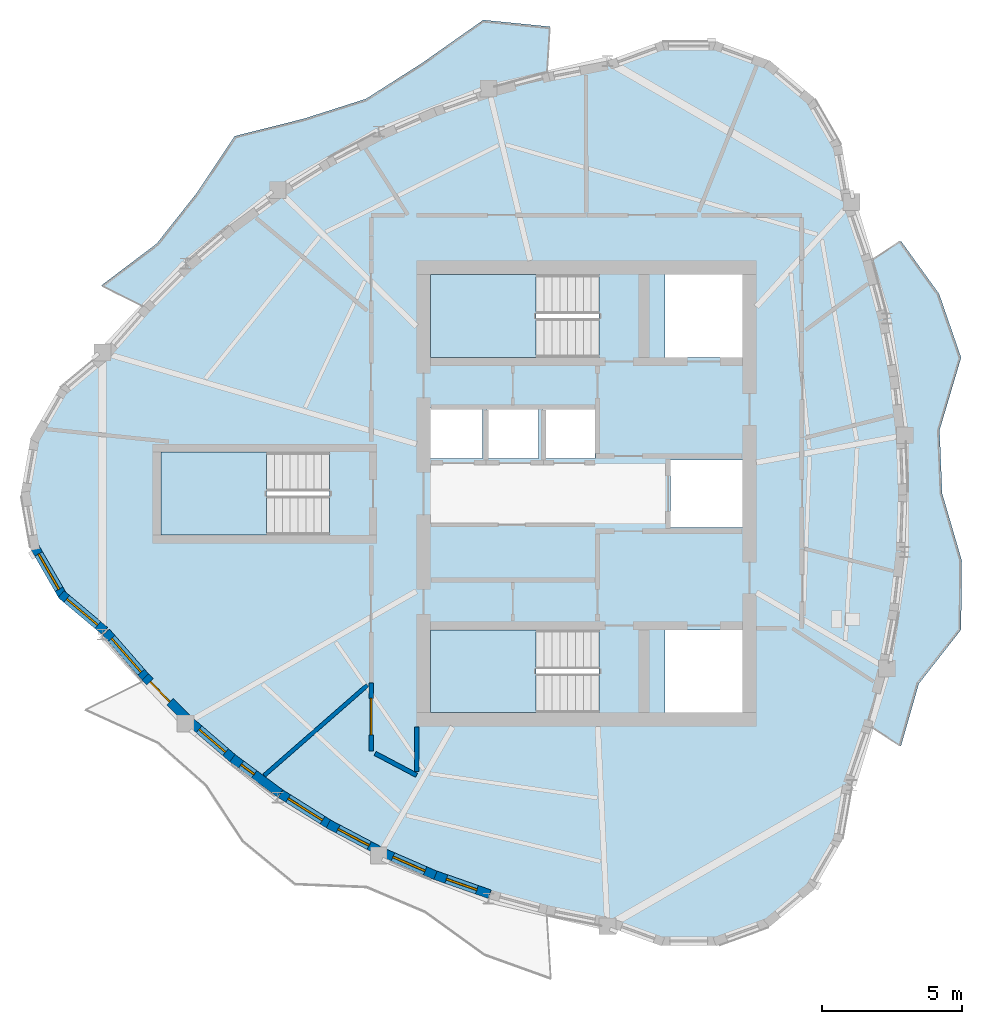
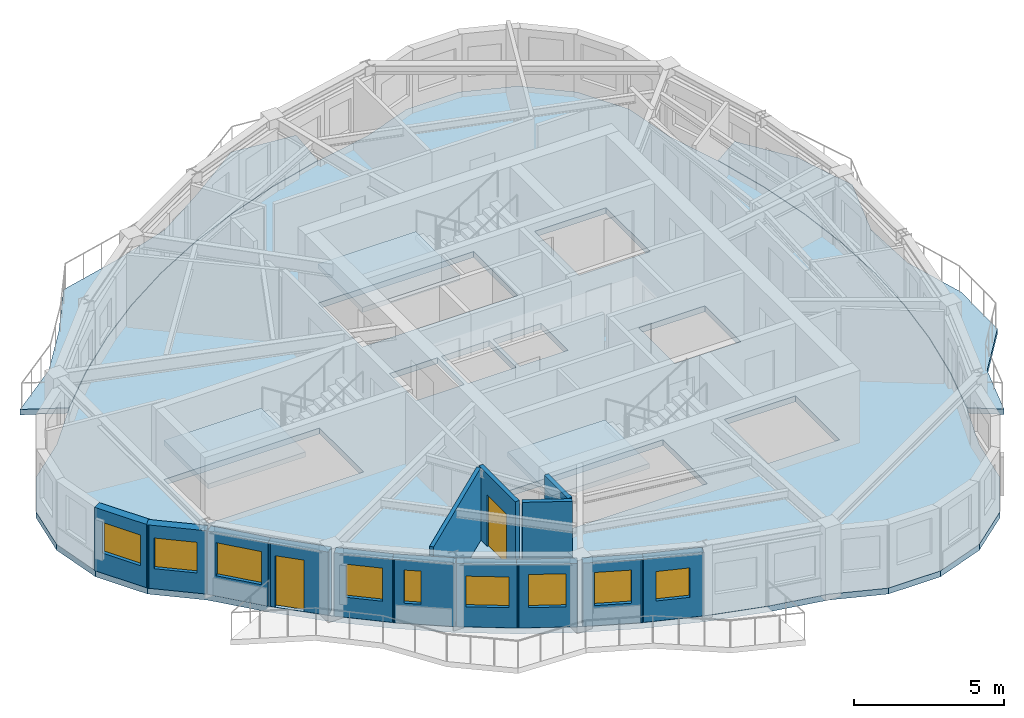
# One storey, part 2 of 11: 14 walls, 9 windows, 6 slabs, 2 doors, 11 openings, 3 elements without a shape of their own.
"""IFC4 building model written with IfcOpenShell, lengths in metres."""

from ifc_helpers import new_model, si_unit, direction, frame, frame_2d, origin, place, context, subcontext, project, spatial, polyline, rectangle, outline, extrude, source, transform, mapped, material, layer, layer_set, type_object, element, fill, aggregate, save


model = new_model("IFC4")

# Units and contexts
model_context = context("Model", 3, precision=1e-05, world=origin(), true_north=direction((0.0, 1.0)))
body_context = subcontext(model_context, "Body", "Model", "MODEL_VIEW")
ifc_project = project(units=[si_unit("LENGTHUNIT", "METRE"), si_unit("AREAUNIT", "SQUARE_METRE"), si_unit("VOLUMEUNIT", "CUBIC_METRE"), si_unit("PLANEANGLEUNIT", "RADIAN"), si_unit("MASSUNIT", "GRAM", prefix="KILO")], contexts=[model_context])

# Site, building, storey
site_placement = place(None, origin())
site = spatial("IfcSite", under=ifc_project, at=site_placement, CompositionType="ELEMENT")
building_placement = place(site_placement, origin())
building = spatial("IfcBuilding", under=site, at=building_placement, Name="Qafzar Sky-Pleat Residences", CompositionType="ELEMENT")
storey_placement = place(building_placement, frame((0.0, 0.0, 237.199951171875)))
storey = spatial("IfcBuildingStorey", under=building, at=storey_placement, Name="L71", CompositionType="ELEMENT", Elevation=237.199951171875)

# Slabs
ifc_material_1 = material(Name="Concrete C40/50", Category="concrete")
ifc_layer_1 = layer(ifc_material_1, 0.219970703125)
ifc_layer_set_1 = layer_set([ifc_layer_1], Name="Concrete C40/50")
slab_type_1 = type_object("IfcSlabType", Name="SLAB-BAL-220", PredefinedType="USERDEFINED", material=ifc_layer_set_1)
slab_1_placement = place(storey_placement, frame((0.0, 0.0, -0.219970703125)))
element("IfcSlab", 1, at=slab_1_placement, inside=storey, type_object=slab_type_1, Name="L71 Pleated Stone Balcony 1", ObjectType="BALCONY", PredefinedType="USERDEFINED", context=body_context, shape_type="SweptSolid", body=[
    extrude(outline(polyline([(41.068603515625, 19.7646484375), (41.463623046875, 21.843017578125), (41.700927734375, 23.92138671875), (41.77978515625, 26.0), (41.700927734375, 28.07861328125), (41.463623046875, 30.156982421875), (41.068603515625, 32.2353515625), (40.51513671875, 34.3134765625), (41.54638671875, 34.99853515625), (42.907958984375, 33.113037109375), (43.690673828125, 30.8447265625), (42.9248046875, 28.26416015625), (43.017822265625, 26.0), (43.7158203125, 23.61572265625), (43.690673828125, 21.1552734375), (42.185791015625, 19.2314453125), (41.54638671875, 17.00146484375), (40.51513671875, 17.6865234375), (41.068603515625, 19.7646484375)])), origin(), (0.0, 0.0, 1.0), 0.219970703125),
])
slab_2_placement = place(storey_placement, frame((0.0, 0.0, -0.219970703125)))
element("IfcSlab", 2, at=slab_2_placement, inside=storey, type_object=slab_type_1, Name="L71 Pleated Stone Balcony 2", ObjectType="BALCONY", PredefinedType="USERDEFINED", context=body_context, shape_type="SweptSolid", body=[
    extrude(outline(polyline([(26.86572265625, 40.435302734375), (24.8681640625, 39.73828125), (22.94970703125, 38.904541015625), (21.110107421875, 37.93359375), (19.349609375, 36.825927734375), (17.668212890625, 35.581298828125), (16.06591796875, 34.199951171875), (14.542724609375, 32.681640625), (13.075439453125, 33.41015625), (15.04541015625, 34.901123046875), (16.467041015625, 36.6953125), (17.82763671875, 38.730712890625), (20.291015625, 39.352294921875), (22.498291015625, 40.057373046875), (24.504150390625, 41.33544921875), (26.6748046875, 42.865966796875), (29.044921875, 42.630126953125), (28.942138671875, 40.995361328125), (26.86572265625, 40.435302734375)])), origin(), (0.0, 0.0, 1.0), 0.219970703125),
])
ifc_layer_2 = layer(ifc_material_1, 0.239990234375)
ifc_layer_set_2 = layer_set([ifc_layer_2], Name="Concrete C40/50")
slab_type_2 = type_object("IfcSlabType", Name="SLAB-FLR-240", PredefinedType="FLOOR", material=ifc_layer_set_2)
slab_3_placement = place(storey_placement, frame((0.0, 0.0, -0.239990234375)))
element("IfcSlab", 3, at=slab_3_placement, inside=storey, type_object=slab_type_2, Name="L71 Structural Floor Slab", PredefinedType="FLOOR", context=body_context, shape_type="SweptSolid", body=[
    extrude(outline(polyline([(13.110107421875, 31.02294921875), (11.56689453125, 29.728271484375), (10.559814453125, 27.983642578125), (10.2099609375, 26.0), (10.559814453125, 24.016357421875), (11.56689453125, 22.271728515625), (13.110107421875, 20.97705078125), (14.553466796875, 19.323486328125), (16.07568359375, 17.806884765625), (17.677001953125, 16.4267578125), (19.35693359375, 15.183349609375), (21.1162109375, 14.07666015625), (22.9541015625, 13.106689453125), (24.870849609375, 12.273193359375), (26.86669921875, 11.57666015625), (28.94140625, 11.0166015625), (31.094970703125, 10.593505859375), (32.98779296875, 9.904541015625), (35.002197265625, 9.904541015625), (36.89501953125, 10.593505859375), (38.43798828125, 11.88818359375), (39.4453125, 13.632568359375), (39.794921875, 15.616455078125), (40.505126953125, 17.693115234375), (41.0576171875, 19.769775390625), (41.4521484375, 21.846435546875), (41.68896484375, 23.92333984375), (41.767822265625, 26.0), (41.68896484375, 28.07666015625), (41.4521484375, 30.153564453125), (41.0576171875, 32.230224609375), (40.505126953125, 34.306884765625), (39.794921875, 36.383544921875), (39.4453125, 38.367431640625), (38.43798828125, 40.11181640625), (36.89501953125, 41.406494140625), (35.002197265625, 42.095458984375), (32.98779296875, 42.095458984375), (31.094970703125, 41.406494140625), (28.94140625, 40.9833984375), (26.86669921875, 40.42333984375), (24.870849609375, 39.726806640625), (22.9541015625, 38.893310546875), (21.1162109375, 37.92333984375), (19.35693359375, 36.816650390625), (17.677001953125, 35.5732421875), (16.07568359375, 34.193115234375), (14.553466796875, 32.676513671875), (13.110107421875, 31.02294921875)]), holes=[polyline([(30.797119140625, 21.14990234375), (24.800048828125, 21.14990234375), (24.800048828125, 18.199951171875), (30.797119140625, 18.199951171875), (30.797119140625, 21.14990234375)]), polyline([(30.797119140625, 33.800048828125), (24.800048828125, 33.800048828125), (24.800048828125, 30.85009765625), (30.797119140625, 30.85009765625), (30.797119140625, 33.800048828125)]), polyline([(21.197021484375, 27.47509765625), (15.199951171875, 27.47509765625), (15.199951171875, 24.52490234375), (21.197021484375, 24.52490234375), (21.197021484375, 27.47509765625)]), polyline([(24.800048828125, 27.25), (26.64990234375, 27.25), (26.64990234375, 29.050048828125), (24.800048828125, 29.050048828125), (24.800048828125, 27.25)]), polyline([(26.800048828125, 27.25), (28.64990234375, 27.25), (28.64990234375, 29.050048828125), (26.800048828125, 29.050048828125), (26.800048828125, 27.25)]), polyline([(28.800048828125, 27.25), (30.64990234375, 27.25), (30.64990234375, 29.050048828125), (28.800048828125, 29.050048828125), (28.800048828125, 27.25)]), polyline([(33.14990234375, 18.199951171875), (35.89990234375, 18.199951171875), (35.89990234375, 21.14990234375), (33.14990234375, 21.14990234375), (33.14990234375, 18.199951171875)]), polyline([(33.14990234375, 30.85009765625), (35.89990234375, 30.85009765625), (35.89990234375, 33.800048828125), (33.14990234375, 33.800048828125), (33.14990234375, 30.85009765625)]), polyline([(33.35009765625, 24.800048828125), (35.89990234375, 24.800048828125), (35.89990234375, 27.199951171875), (33.35009765625, 27.199951171875), (33.35009765625, 24.800048828125)])]), origin(), (0.0, 0.0, 1.0), 0.239990234375),
])

# Stair, slab
stair_type = type_object("IfcStairType", Name="STAIR-H320", PredefinedType="HALF_TURN_STAIR", material=ifc_material_1)
stair_1_placement = place(storey_placement, origin())
stair_1 = element("IfcStair", 4, at=stair_1_placement, inside=storey, type_object=stair_type, Name="L71 Protected Exit Stair ST1", PredefinedType="HALF_TURN_STAIR")
ifc_layer_3 = layer(ifc_material_1, 0.199951171875)
ifc_layer_set_3 = layer_set([ifc_layer_3], Name="Concrete C40/50")
slab_type_3 = type_object("IfcSlabType", Name="SLAB-LANDING-200", PredefinedType="LANDING", material=ifc_layer_set_3)
slab_4_placement = place(storey_placement, frame((0.0, 0.0, 1.400146484375)))
slab_4 = element("IfcSlab", 5, at=slab_4_placement, type_object=slab_type_3, Name="ST1 landing 1", PredefinedType="LANDING", context=body_context, shape_type="SweptSolid", body=[
    extrude(outline(polyline([(28.56005859375, 21.14990234375), (24.800048828125, 21.14990234375), (24.800048828125, 18.199951171875), (28.56005859375, 18.199951171875), (28.56005859375, 21.14990234375)])), origin(), (0.0, 0.0, 1.0), 0.199951171875),
])
aggregate(stair_1, [slab_4])

stair_2_placement = place(storey_placement, origin())
stair_2 = element("IfcStair", 6, at=stair_2_placement, inside=storey, type_object=stair_type, Name="L71 Protected Exit Stair ST2", PredefinedType="HALF_TURN_STAIR")
slab_5_placement = place(storey_placement, frame((0.0, 0.0, 1.400146484375)))
slab_5 = element("IfcSlab", 7, at=slab_5_placement, type_object=slab_type_3, Name="ST2 landing 1", PredefinedType="LANDING", context=body_context, shape_type="SweptSolid", body=[
    extrude(outline(polyline([(28.56005859375, 33.800048828125), (24.800048828125, 33.800048828125), (24.800048828125, 30.85009765625), (28.56005859375, 30.85009765625), (28.56005859375, 33.800048828125)])), origin(), (0.0, 0.0, 1.0), 0.199951171875),
])
aggregate(stair_2, [slab_5])

stair_3_placement = place(storey_placement, origin())
stair_3 = element("IfcStair", 8, at=stair_3_placement, inside=storey, type_object=stair_type, Name="L71 Protected Exit Stair ST3", PredefinedType="HALF_TURN_STAIR")
slab_6_placement = place(storey_placement, frame((0.0, 0.0, 1.400146484375)))
slab_6 = element("IfcSlab", 9, at=slab_6_placement, type_object=slab_type_3, Name="ST3 landing 1", PredefinedType="LANDING", context=body_context, shape_type="SweptSolid", body=[
    extrude(outline(polyline([(18.9599609375, 27.47509765625), (15.199951171875, 27.47509765625), (15.199951171875, 24.52490234375), (18.9599609375, 24.52490234375), (18.9599609375, 27.47509765625)])), origin(), (0.0, 0.0, 1.0), 0.199951171875),
])
aggregate(stair_3, [slab_6])

# Wall, opening, door
ifc_material_2 = material(Name="Acoustic gypsum plasterboard partition", Category="gypsum")
ifc_layer_4 = layer(ifc_material_2, 0.159912109375)
ifc_layer_set_4 = layer_set([ifc_layer_4], Name="Acoustic gypsum plasterboard partition")
wall_type_1 = type_object("IfcWallType", Name="PART-COR-160", PredefinedType="PARTITIONING", material=ifc_layer_set_4)
wall_1_placement = place(storey_placement, frame((22.679931640625, 19.256103515625, 0.0), z_axis=(0.0, 0.0, 1.0), x_axis=(0.0, -1.0, 0.0)))
wall_1 = element("IfcWall", 10, at=wall_1_placement, inside=storey, type_object=wall_type_1, Name="L71 Partition Wall PART-L71-PW-009", PredefinedType="PARTITIONING", context=body_context, shape_type="SweptSolid", body=[
    extrude(rectangle(XDim=2.43017578125, YDim=0.159912109375, at=frame_2d((1.215087890625, 0.0))), origin(), (0.0, 0.0, 1.0), 2.9599609375),
])
opening_1_placement = place(wall_1_placement, frame((0.547607421875, 0.0, 0.0)))
opening_1 = element("IfcOpeningElement", 11, at=opening_1_placement, cuts=wall_1, Name="Opening ID-05", PredefinedType="OPENING", context=body_context, shape_type="SweptSolid", body=[
    extrude(rectangle(XDim=1.300048828125, YDim=2.10009765625, at=frame_2d((0.64990234375, 1.050048828125))), frame((0.0, 0.08984375, 0.0), z_axis=(0.0, -1.0, 0.0), x_axis=(1.0, 0.0, 0.0)), (0.0, 0.0, 1.0), 0.179931640625),
])
ifc_material_3 = material(Name="Timber-faced fire door", Category="wood")
door_type_1 = type_object("IfcDoorType", Name="DR-LNG-1300", OperationType="DOUBLE_DOOR_SINGLE_SWING", PredefinedType="DOOR", material=ifc_material_3)
shared_shape_1 = source(origin(), body_context, "Body", "SweptSolid", [
    extrude(rectangle(XDim=1.300048828125, YDim=2.10009765625, at=frame_2d((0.64990234375, 1.050048828125))), frame((0.0, 0.02490234375, 0.0), z_axis=(0.0, -1.0, 0.0), x_axis=(1.0, 0.0, 0.0)), (0.0, 0.0, 1.0), 0.050048828125),
])
door_1_placement = place(opening_1_placement, origin())
door_1 = element("IfcDoor", 12, at=door_1_placement, inside=storey, type_object=door_type_1, Name="L71 Academic Seminar Room Door", OperationType="DOUBLE_DOOR_SINGLE_SWING", OverallHeight=2.10009765625, OverallWidth=1.300048828125, PredefinedType="DOOR", context=body_context, shape_type="MappedRepresentation", body=[
    mapped(shared_shape_1, transform((0.0, 0.0, 0.0), x_axis=(1.0, 0.0, 0.0), y_axis=(0.0, 1.0, 0.0), z_axis=(0.0, 0.0, 1.0), scale=1.0)),
])
fill(opening_1, door_1)

# Walls
wall_2_placement = place(storey_placement, frame((22.8212890625, 16.749267578125, 0.0), z_axis=(0.0, 0.0, 1.0), x_axis=(0.884429955183, -0.466672962979, 0.0)))
element("IfcWall", 13, at=wall_2_placement, inside=storey, type_object=wall_type_1, Name="L71 Partition Wall PART-L71-PW-022", PredefinedType="PARTITIONING", context=body_context, shape_type="SweptSolid", body=[
    extrude(rectangle(XDim=1.671875, YDim=0.159912109375, at=frame_2d((0.8359375, 0.0))), origin(), (0.0, 0.0, 1.0), 2.9599609375),
])
wall_3_placement = place(storey_placement, frame((24.300048828125, 16.109619140625, 0.0), z_axis=(0.0, 0.0, 1.0), x_axis=(0.0, 1.0, 0.0)))
element("IfcWall", 14, at=wall_3_placement, inside=storey, type_object=wall_type_1, Name="L71 Partition Wall PART-L71-PW-023", PredefinedType="PARTITIONING", context=body_context, shape_type="SweptSolid", body=[
    extrude(rectangle(XDim=1.582275390625, YDim=0.159912109375, at=frame_2d((0.791015625, 0.0))), origin(), (0.0, 0.0, 1.0), 2.9599609375),
])
ifc_layer_5 = layer(ifc_material_2, 0.14501953125)
ifc_layer_set_5 = layer_set([ifc_layer_5], Name="Acoustic gypsum plasterboard partition")
wall_type_2 = type_object("IfcWallType", Name="PART-UNIT-145", PredefinedType="PARTITIONING", material=ifc_layer_set_5)
wall_4_placement = place(storey_placement, frame((18.87744140625, 15.96533203125, 0.0), z_axis=(0.0, 0.0, 1.0), x_axis=(0.752716311779, 0.65834501136, 0.0)))
element("IfcWall", 15, at=wall_4_placement, inside=storey, type_object=wall_type_2, Name="L71 Partition Wall PART-L71-PW-013", PredefinedType="PARTITIONING", context=body_context, shape_type="SweptSolid", body=[
    extrude(rectangle(XDim=4.8740234375, YDim=0.14501953125, at=frame_2d((2.43701171875, 0.0))), origin(), (0.0, 0.0, 1.0), 2.9599609375),
])

# Wall, opening, window
ifc_material_4 = material(Name="Precast concrete C40/50 with honed Riyadh limestone", Category="concrete")
ifc_layer_6 = layer(ifc_material_4, 0.320068359375)
ifc_layer_set_6 = layer_set([ifc_layer_6], Name="Precast concrete C40/50 with honed Riyadh limestone")
wall_type_3 = type_object("IfcWallType", Name="WALL-EXT-320", PredefinedType="SOLIDWALL", material=ifc_layer_set_6)
wall_5_placement = place(storey_placement, frame((10.679443359375, 24.129150390625, 0.0), z_axis=(0.0, 0.0, 1.0), x_axis=(0.499995423472, -0.866028046028, 0.0)))
wall_5 = element("IfcWall", 16, at=wall_5_placement, inside=storey, type_object=wall_type_3, Name="L71 Limestone Facade Wall 5", PredefinedType="SOLIDWALL", context=body_context, shape_type="SweptSolid", body=[
    extrude(rectangle(XDim=2.09033203125, YDim=0.320068359375, at=frame_2d((1.045166015625, 0.0))), origin(), (0.0, 0.0, 1.0), 2.580078125),
])
opening_2_placement = place(wall_5_placement, frame((0.3203125, 0.0, 0.820068359375)))
opening_2 = element("IfcOpeningElement", 17, at=opening_2_placement, cuts=wall_5, Name="Opening WN-15", PredefinedType="OPENING", context=body_context, shape_type="SweptSolid", body=[
    extrude(rectangle(XDim=1.449951171875, YDim=1.25, at=frame_2d((0.72509765625, 0.625))), frame((0.0, 0.169921875, 0.0), z_axis=(0.0, -1.0, 0.0), x_axis=(1.0, 0.0, 0.0)), (0.0, 0.0, 1.0), 0.340087890625),
])
ifc_material_5 = material(Name="Solar-control low-E glass in bronze aluminium frame", Category="glass")
window_type_1 = type_object("IfcWindowType", Name="WIN-15", PartitioningType="SINGLE_PANEL", PredefinedType="WINDOW", material=ifc_material_5)
shared_shape_2 = source(origin(), body_context, "Body", "SweptSolid", [
    extrude(rectangle(XDim=1.449951171875, YDim=1.25, at=frame_2d((0.72509765625, 0.625))), frame((0.0, 0.030029296875, 0.0), z_axis=(0.0, -1.0, 0.0), x_axis=(1.0, 0.0, 0.0)), (0.0, 0.0, 1.0), 0.06005859375),
])
window_1_placement = place(opening_2_placement, origin())
window_1 = element("IfcWindow", 18, at=window_1_placement, inside=storey, type_object=window_type_1, Name="L71 Punched Facade Window 05", OverallHeight=1.25, OverallWidth=1.449951171875, PartitioningType="SINGLE_PANEL", PredefinedType="WINDOW", context=body_context, shape_type="MappedRepresentation", body=[
    mapped(shared_shape_2, transform((0.0, 0.0, 0.0), x_axis=(1.0, 0.0, 0.0), y_axis=(0.0, 1.0, 0.0), z_axis=(0.0, 0.0, 1.0), scale=1.0)),
])
fill(opening_2, window_1)

wall_6_placement = place(storey_placement, frame((11.640625, 22.418701171875, 0.0), z_axis=(0.0, 0.0, 1.0), x_axis=(0.766099948115, -0.642721455608, 0.0)))
wall_6 = element("IfcWall", 19, at=wall_6_placement, inside=storey, type_object=wall_type_3, Name="L71 Limestone Facade Wall 6", PredefinedType="SOLIDWALL", context=body_context, shape_type="SweptSolid", body=[
    extrude(rectangle(XDim=2.0322265625, YDim=0.320068359375, at=frame_2d((1.01611328125, 0.0))), origin(), (0.0, 0.0, 1.0), 2.580078125),
])
opening_3_placement = place(wall_6_placement, frame((0.26123046875, 0.0, 0.820068359375)))
opening_3 = element("IfcOpeningElement", 20, at=opening_3_placement, cuts=wall_6, Name="Opening WN-15", PredefinedType="OPENING", context=body_context, shape_type="SweptSolid", body=[
    extrude(rectangle(XDim=1.449951171875, YDim=1.25, at=frame_2d((0.72509765625, 0.625))), frame((0.0, 0.169921875, 0.0), z_axis=(0.0, -1.0, 0.0), x_axis=(1.0, 0.0, 0.0)), (0.0, 0.0, 1.0), 0.340087890625),
])
window_2_placement = place(opening_3_placement, origin())
window_2 = element("IfcWindow", 21, at=window_2_placement, inside=storey, type_object=window_type_1, Name="L71 Punched Facade Window 06", OverallHeight=1.25, OverallWidth=1.449951171875, PartitioningType="SINGLE_PANEL", PredefinedType="WINDOW", context=body_context, shape_type="MappedRepresentation", body=[
    mapped(shared_shape_2, transform((0.0, 0.0, 0.0), x_axis=(1.0, 0.0, 0.0), y_axis=(0.0, 1.0, 0.0), z_axis=(0.0, 0.0, 1.0), scale=1.0)),
])
fill(opening_3, window_2)

wall_7_placement = place(storey_placement, frame((13.24365234375, 21.0673828125, 0.0), z_axis=(0.0, 0.0, 1.0), x_axis=(0.657605974143, -0.753362052914, 0.0)))
wall_7 = element("IfcWall", 22, at=wall_7_placement, inside=storey, type_object=wall_type_3, Name="L71 Limestone Facade Wall 7", PredefinedType="SOLIDWALL", context=body_context, shape_type="SweptSolid", body=[
    extrude(rectangle(XDim=2.213134765625, YDim=0.320068359375, at=frame_2d((1.1064453125, 0.0))), origin(), (0.0, 0.0, 1.0), 2.580078125),
])
opening_4_placement = place(wall_7_placement, frame((0.29638671875, 0.0, 0.820068359375)))
opening_4 = element("IfcOpeningElement", 23, at=opening_4_placement, cuts=wall_7, Name="Opening WN-09", PredefinedType="OPENING", context=body_context, shape_type="SweptSolid", body=[
    extrude(rectangle(XDim=1.60009765625, YDim=1.35009765625, at=frame_2d((0.800048828125, 0.675048828125))), frame((0.0, 0.169921875, 0.0), z_axis=(0.0, -1.0, 0.0), x_axis=(1.0, 0.0, 0.0)), (0.0, 0.0, 1.0), 0.340087890625),
])
window_type_2 = type_object("IfcWindowType", Name="WIN-09", PartitioningType="DOUBLE_PANEL_VERTICAL", PredefinedType="WINDOW", material=ifc_material_5)
shared_shape_3 = source(origin(), body_context, "Body", "SweptSolid", [
    extrude(rectangle(XDim=1.60009765625, YDim=1.35009765625, at=frame_2d((0.800048828125, 0.675048828125))), frame((0.0, 0.030029296875, 0.0), z_axis=(0.0, -1.0, 0.0), x_axis=(1.0, 0.0, 0.0)), (0.0, 0.0, 1.0), 0.06005859375),
])
window_3_placement = place(opening_4_placement, origin())
window_3 = element("IfcWindow", 24, at=window_3_placement, inside=storey, type_object=window_type_2, Name="L71 Punched Facade Window 07", OverallHeight=1.35009765625, OverallWidth=1.60009765625, PartitioningType="SINGLE_PANEL", PredefinedType="WINDOW", context=body_context, shape_type="MappedRepresentation", body=[
    mapped(shared_shape_3, transform((0.0, 0.0, 0.0), x_axis=(1.0, 0.0, 0.0), y_axis=(0.0, 1.0, 0.0), z_axis=(0.0, 0.0, 1.0), scale=1.0)),
])
fill(opening_4, window_3)

# Wall, opening, door
wall_8_placement = place(storey_placement, frame((14.639404296875, 19.4638671875, 0.0), z_axis=(0.0, 0.0, 1.0), x_axis=(0.708386188287, -0.705825054985, 0.0)))
wall_8 = element("IfcWall", 25, at=wall_8_placement, inside=storey, type_object=wall_type_3, Name="L71 Limestone Facade Wall 8", PredefinedType="SOLIDWALL", context=body_context, shape_type="SweptSolid", body=[
    extrude(rectangle(XDim=2.09716796875, YDim=0.320068359375, at=frame_2d((1.048583984375, 0.0))), origin(), (0.0, 0.0, 1.0), 2.580078125),
])
opening_5_placement = place(wall_8_placement, frame((0.239990234375, 0.0, 0.0)))
opening_5 = element("IfcOpeningElement", 26, at=opening_5_placement, cuts=wall_8, Name="Opening ED-05", PredefinedType="OPENING", context=body_context, shape_type="SweptSolid", body=[
    extrude(rectangle(XDim=1.0, YDim=2.10009765625, at=frame_2d((0.5, 1.050048828125))), frame((0.0, 0.169921875, 0.0), z_axis=(0.0, -1.0, 0.0), x_axis=(1.0, 0.0, 0.0)), (0.0, 0.0, 1.0), 0.340087890625),
])
ifc_material_6 = material(Name="Glazed bronze aluminium door", Category="aluminium")
door_type_2 = type_object("IfcDoorType", Name="DR-BAL-1000", OperationType="NOTDEFINED", PredefinedType="DOOR", material=ifc_material_6)
shared_shape_4 = source(origin(), body_context, "Body", "SweptSolid", [
    extrude(rectangle(XDim=1.0, YDim=2.10009765625, at=frame_2d((0.5, 1.050048828125))), frame((0.0, 0.02490234375, 0.0), z_axis=(0.0, -1.0, 0.0), x_axis=(1.0, 0.0, 0.0)), (0.0, 0.0, 1.0), 0.050048828125),
])
door_2_placement = place(opening_5_placement, origin())
door_2 = element("IfcDoor", 27, at=door_2_placement, inside=storey, type_object=door_type_2, Name="L71 Glazed Balcony Door 3", OperationType="SINGLE_SWING_LEFT", OverallHeight=2.10009765625, OverallWidth=1.0, PredefinedType="DOOR", context=body_context, shape_type="MappedRepresentation", body=[
    mapped(shared_shape_4, transform((0.0, 0.0, 0.0), x_axis=(1.0, 0.0, 0.0), y_axis=(0.0, 1.0, 0.0), z_axis=(0.0, 0.0, 1.0), scale=1.0)),
])
fill(opening_5, door_2)

# Wall, opening, window
wall_9_placement = place(storey_placement, frame((16.248291015625, 17.869140625, 0.0), z_axis=(0.0, 0.0, 1.0), x_axis=(0.757506883098, -0.652827176257, 0.0)))
wall_9 = element("IfcWall", 28, at=wall_9_placement, inside=storey, type_object=wall_type_3, Name="L71 Limestone Facade Wall 9", PredefinedType="SOLIDWALL", context=body_context, shape_type="SweptSolid", body=[
    extrude(rectangle(XDim=2.061767578125, YDim=0.320068359375, at=frame_2d((1.03076171875, 0.0))), origin(), (0.0, 0.0, 1.0), 2.580078125),
])
opening_6_placement = place(wall_9_placement, frame((0.40087890625, 0.0, 0.820068359375)))
opening_6 = element("IfcOpeningElement", 29, at=opening_6_placement, cuts=wall_9, Name="Opening WN-11", PredefinedType="OPENING", context=body_context, shape_type="SweptSolid", body=[
    extrude(rectangle(XDim=1.25, YDim=1.35009765625, at=frame_2d((0.625, 0.675048828125))), frame((0.0, 0.169921875, 0.0), z_axis=(0.0, -1.0, 0.0), x_axis=(1.0, 0.0, 0.0)), (0.0, 0.0, 1.0), 0.340087890625),
])
window_type_3 = type_object("IfcWindowType", Name="WIN-11", PartitioningType="SINGLE_PANEL", PredefinedType="WINDOW", material=ifc_material_5)
shared_shape_5 = source(origin(), body_context, "Body", "SweptSolid", [
    extrude(rectangle(XDim=1.25, YDim=1.35009765625, at=frame_2d((0.625, 0.675048828125))), frame((0.0, 0.030029296875, 0.0), z_axis=(0.0, -1.0, 0.0), x_axis=(1.0, 0.0, 0.0)), (0.0, 0.0, 1.0), 0.06005859375),
])
window_4_placement = place(opening_6_placement, origin())
window_4 = element("IfcWindow", 30, at=window_4_placement, inside=storey, type_object=window_type_3, Name="L71 Punched Facade Window 09", OverallHeight=1.35009765625, OverallWidth=1.25, PartitioningType="SINGLE_PANEL", PredefinedType="WINDOW", context=body_context, shape_type="MappedRepresentation", body=[
    mapped(shared_shape_5, transform((0.0, 0.0, 0.0), x_axis=(1.0, 0.0, 0.0), y_axis=(0.0, 1.0, 0.0), z_axis=(0.0, 0.0, 1.0), scale=1.0)),
])
fill(opening_6, window_4)

wall_10_placement = place(storey_placement, frame((17.741455078125, 16.577880859375, 0.0), z_axis=(0.0, 0.0, 1.0), x_axis=(0.803860727082, -0.594817561489, 0.0)))
wall_10 = element("IfcWall", 31, at=wall_10_placement, inside=storey, type_object=wall_type_3, Name="L71 Limestone Facade Wall 10", PredefinedType="SOLIDWALL", context=body_context, shape_type="SweptSolid", body=[
    extrude(rectangle(XDim=2.108154296875, YDim=0.320068359375, at=frame_2d((1.05419921875, 0.0))), origin(), (0.0, 0.0, 1.0), 2.580078125),
])
opening_7_placement = place(wall_10_placement, frame((0.38525390625, 0.0, 0.820068359375)))
opening_7 = element("IfcOpeningElement", 32, at=opening_7_placement, cuts=wall_10, Name="Opening WN-17", PredefinedType="OPENING", context=body_context, shape_type="SweptSolid", body=[
    extrude(rectangle(XDim=0.580078125, YDim=1.35009765625, at=frame_2d((0.2900390625, 0.675048828125))), frame((0.0, 0.169921875, 0.0), z_axis=(0.0, -1.0, 0.0), x_axis=(1.0, 0.0, 0.0)), (0.0, 0.0, 1.0), 0.340087890625),
])
window_type_4 = type_object("IfcWindowType", Name="WIN-17", PartitioningType="SINGLE_PANEL", PredefinedType="WINDOW", material=ifc_material_5)
shared_shape_6 = source(origin(), body_context, "Body", "SweptSolid", [
    extrude(rectangle(XDim=0.580078125, YDim=1.35009765625, at=frame_2d((0.2900390625, 0.675048828125))), frame((0.0, 0.030029296875, 0.0), z_axis=(0.0, -1.0, 0.0), x_axis=(1.0, 0.0, 0.0)), (0.0, 0.0, 1.0), 0.06005859375),
])
window_5_placement = place(opening_7_placement, origin())
window_5 = element("IfcWindow", 33, at=window_5_placement, inside=storey, type_object=window_type_4, Name="L71 Punched Facade Window 10", OverallHeight=1.35009765625, OverallWidth=0.580078125, PartitioningType="SINGLE_PANEL", PredefinedType="WINDOW", context=body_context, shape_type="MappedRepresentation", body=[
    mapped(shared_shape_6, transform((0.0, 0.0, 0.0), x_axis=(1.0, 0.0, 0.0), y_axis=(0.0, 1.0, 0.0), z_axis=(0.0, 0.0, 1.0), scale=1.0)),
])
fill(opening_7, window_5)

wall_11_placement = place(storey_placement, frame((19.458984375, 15.30810546875, 0.0), z_axis=(0.0, 0.0, 1.0), x_axis=(0.846450593439, -0.532467269291, 0.0)))
wall_11 = element("IfcWall", 34, at=wall_11_placement, inside=storey, type_object=wall_type_3, Name="L71 Limestone Facade Wall 11", PredefinedType="SOLIDWALL", context=body_context, shape_type="SweptSolid", body=[
    extrude(rectangle(XDim=2.09619140625, YDim=0.320068359375, at=frame_2d((1.048095703125, 0.0))), origin(), (0.0, 0.0, 1.0), 2.580078125),
])
opening_8_placement = place(wall_11_placement, frame((0.31298828125, 0.0, 0.820068359375)))
opening_8 = element("IfcOpeningElement", 35, at=opening_8_placement, cuts=wall_11, Name="Opening WN-15", PredefinedType="OPENING", context=body_context, shape_type="SweptSolid", body=[
    extrude(rectangle(XDim=1.449951171875, YDim=1.25, at=frame_2d((0.72509765625, 0.625))), frame((0.0, 0.169921875, 0.0), z_axis=(0.0, -1.0, 0.0), x_axis=(1.0, 0.0, 0.0)), (0.0, 0.0, 1.0), 0.340087890625),
])
window_6_placement = place(opening_8_placement, origin())
window_6 = element("IfcWindow", 36, at=window_6_placement, inside=storey, type_object=window_type_1, Name="L71 Punched Facade Window 11", OverallHeight=1.25, OverallWidth=1.449951171875, PartitioningType="SINGLE_PANEL", PredefinedType="WINDOW", context=body_context, shape_type="MappedRepresentation", body=[
    mapped(shared_shape_2, transform((0.0, 0.0, 0.0), x_axis=(1.0, 0.0, 0.0), y_axis=(0.0, 1.0, 0.0), z_axis=(0.0, 0.0, 1.0), scale=1.0)),
])
fill(opening_8, window_6)

wall_12_placement = place(storey_placement, frame((21.1572265625, 14.23583984375, 0.0), z_axis=(0.0, 0.0, 1.0), x_axis=(0.884379226496, -0.466769090388, 0.0)))
wall_12 = element("IfcWall", 37, at=wall_12_placement, inside=storey, type_object=wall_type_3, Name="L71 Limestone Facade Wall 12", PredefinedType="SOLIDWALL", context=body_context, shape_type="SweptSolid", body=[
    extrude(rectangle(XDim=2.0263671875, YDim=0.320068359375, at=frame_2d((1.01318359375, 0.0))), origin(), (0.0, 0.0, 1.0), 2.580078125),
])
opening_9_placement = place(wall_12_placement, frame((0.39306640625, 0.0, 0.820068359375)))
opening_9 = element("IfcOpeningElement", 38, at=opening_9_placement, cuts=wall_12, Name="Opening WN-11", PredefinedType="OPENING", context=body_context, shape_type="SweptSolid", body=[
    extrude(rectangle(XDim=1.25, YDim=1.35009765625, at=frame_2d((0.625, 0.675048828125))), frame((0.0, 0.169921875, 0.0), z_axis=(0.0, -1.0, 0.0), x_axis=(1.0, 0.0, 0.0)), (0.0, 0.0, 1.0), 0.340087890625),
])
window_7_placement = place(opening_9_placement, origin())
window_7 = element("IfcWindow", 39, at=window_7_placement, inside=storey, type_object=window_type_3, Name="L71 Punched Facade Window 12", OverallHeight=1.35009765625, OverallWidth=1.25, PartitioningType="SINGLE_PANEL", PredefinedType="WINDOW", context=body_context, shape_type="MappedRepresentation", body=[
    mapped(shared_shape_5, transform((0.0, 0.0, 0.0), x_axis=(1.0, 0.0, 0.0), y_axis=(0.0, 1.0, 0.0), z_axis=(0.0, 0.0, 1.0), scale=1.0)),
])
fill(opening_9, window_7)

wall_13_placement = place(storey_placement, frame((23.100341796875, 13.217529296875, 0.0), z_axis=(0.0, 0.0, 1.0), x_axis=(0.917056725387, -0.398756771005, 0.0)))
wall_13 = element("IfcWall", 40, at=wall_13_placement, inside=storey, type_object=wall_type_3, Name="L71 Limestone Facade Wall 13", PredefinedType="SOLIDWALL", context=body_context, shape_type="SweptSolid", body=[
    extrude(rectangle(XDim=2.0380859375, YDim=0.320068359375, at=frame_2d((1.01904296875, 0.0))), origin(), (0.0, 0.0, 1.0), 2.580078125),
])
opening_10_placement = place(wall_13_placement, frame((0.38916015625, 0.0, 0.820068359375)))
opening_10 = element("IfcOpeningElement", 41, at=opening_10_placement, cuts=wall_13, Name="Opening WN-11", PredefinedType="OPENING", context=body_context, shape_type="SweptSolid", body=[
    extrude(rectangle(XDim=1.25, YDim=1.35009765625, at=frame_2d((0.625, 0.675048828125))), frame((0.0, 0.169921875, 0.0), z_axis=(0.0, -1.0, 0.0), x_axis=(1.0, 0.0, 0.0)), (0.0, 0.0, 1.0), 0.340087890625),
])
window_8_placement = place(opening_10_placement, origin())
window_8 = element("IfcWindow", 42, at=window_8_placement, inside=storey, type_object=window_type_3, Name="L71 Punched Facade Window 13", OverallHeight=1.35009765625, OverallWidth=1.25, PartitioningType="SINGLE_PANEL", PredefinedType="WINDOW", context=body_context, shape_type="MappedRepresentation", body=[
    mapped(shared_shape_5, transform((0.0, 0.0, 0.0), x_axis=(1.0, 0.0, 0.0), y_axis=(0.0, 1.0, 0.0), z_axis=(0.0, 0.0, 1.0), scale=1.0)),
])
fill(opening_10, window_8)

wall_14_placement = place(storey_placement, frame((24.8876953125, 12.43701171875, 0.0), z_axis=(0.0, 0.0, 1.0), x_axis=(0.944134736434, -0.329559705453, 0.0)))
wall_14 = element("IfcWall", 43, at=wall_14_placement, inside=storey, type_object=wall_type_3, Name="L71 Limestone Facade Wall 14", PredefinedType="SOLIDWALL", context=body_context, shape_type="SweptSolid", body=[
    extrude(rectangle(XDim=2.132080078125, YDim=0.320068359375, at=frame_2d((1.06591796875, 0.0))), origin(), (0.0, 0.0, 1.0), 2.580078125),
])
opening_11_placement = place(wall_14_placement, frame((0.5009765625, 0.0, 0.820068359375)))
opening_11 = element("IfcOpeningElement", 44, at=opening_11_placement, cuts=wall_14, Name="Opening WN-16", PredefinedType="OPENING", context=body_context, shape_type="SweptSolid", body=[
    extrude(rectangle(XDim=1.14990234375, YDim=1.199951171875, at=frame_2d((0.574951171875, 0.60009765625))), frame((0.0, 0.169921875, 0.0), z_axis=(0.0, -1.0, 0.0), x_axis=(1.0, 0.0, 0.0)), (0.0, 0.0, 1.0), 0.340087890625),
])
window_type_5 = type_object("IfcWindowType", Name="WIN-16", PartitioningType="SINGLE_PANEL", PredefinedType="WINDOW", material=ifc_material_5)
shared_shape_7 = source(origin(), body_context, "Body", "SweptSolid", [
    extrude(rectangle(XDim=1.14990234375, YDim=1.199951171875, at=frame_2d((0.574951171875, 0.60009765625))), frame((0.0, 0.030029296875, 0.0), z_axis=(0.0, -1.0, 0.0), x_axis=(1.0, 0.0, 0.0)), (0.0, 0.0, 1.0), 0.06005859375),
])
window_9_placement = place(opening_11_placement, origin())
window_9 = element("IfcWindow", 45, at=window_9_placement, inside=storey, type_object=window_type_5, Name="L71 Punched Facade Window 14", OverallHeight=1.199951171875, OverallWidth=1.14990234375, PartitioningType="SINGLE_PANEL", PredefinedType="WINDOW", context=body_context, shape_type="MappedRepresentation", body=[
    mapped(shared_shape_7, transform((0.0, 0.0, 0.0), x_axis=(1.0, 0.0, 0.0), y_axis=(0.0, 1.0, 0.0), z_axis=(0.0, 0.0, 1.0), scale=1.0)),
])
fill(opening_11, window_9)

save(model, "model.ifc")
